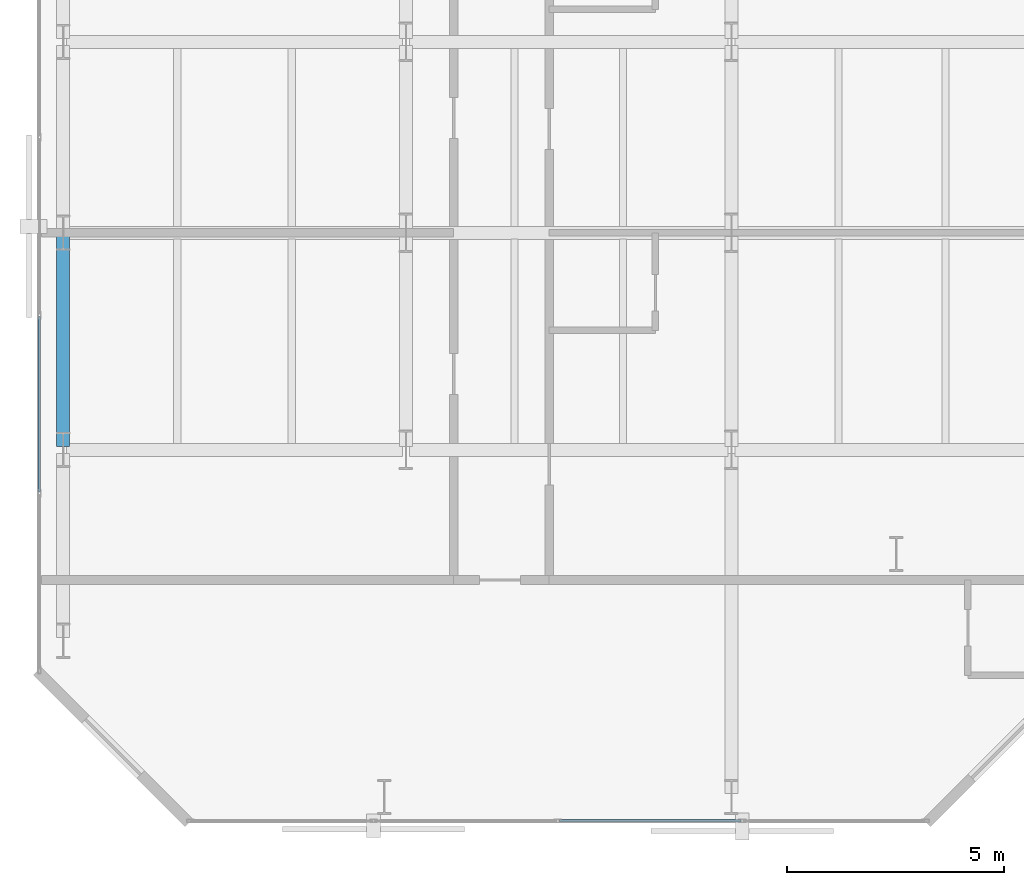
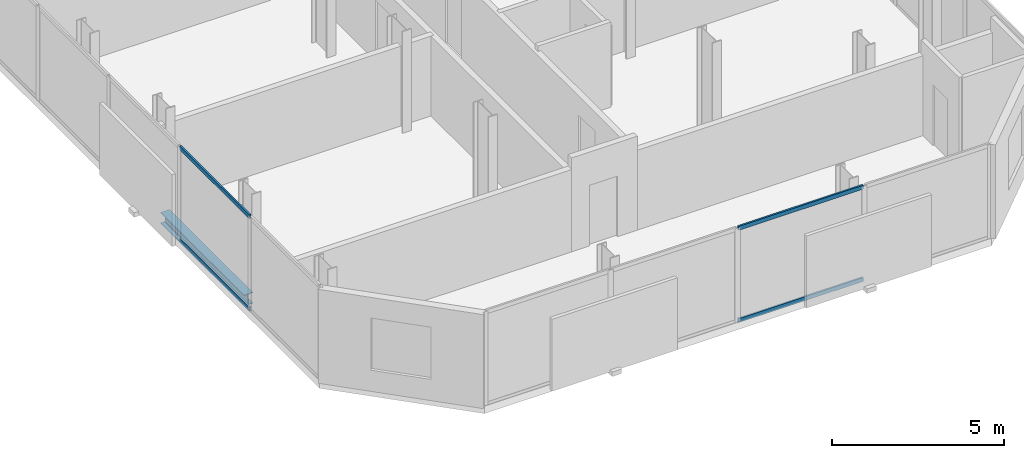
# One storey, part 4 of 32: 4 members, 1 beam, 2 elements without a shape of their own.
"""IFC4 building model written with IfcOpenShell, lengths in metres."""

from ifc_helpers import new_model, si_unit, direction, frame, origin, origin_2d, place, context, subcontext, project, spatial, hollow_rectangle, i_section, extrude, material, layer, layer_set, material_profile, profile_set, type_object, element, aggregate, save


model = new_model("IFC4")

# Units and contexts
model_context = context("Model", 3, precision=1e-05, world=origin(), true_north=direction((0.0, 1.0)))
body_context = subcontext(model_context, "Body", "Model", "MODEL_VIEW")
ifc_project = project(units=[si_unit("LENGTHUNIT", "METRE"), si_unit("AREAUNIT", "SQUARE_METRE"), si_unit("VOLUMEUNIT", "CUBIC_METRE"), si_unit("PLANEANGLEUNIT", "RADIAN"), si_unit("MASSUNIT", "GRAM", prefix="KILO")], contexts=[model_context])

# Site, building, storey
site_placement = place(None, origin())
site = spatial("IfcSite", under=ifc_project, at=site_placement, CompositionType="ELEMENT")
building_placement = place(site_placement, origin())
building = spatial("IfcBuilding", under=site, at=building_placement, Name="Catumbela Crestline Tower", CompositionType="ELEMENT")
storey_placement = place(building_placement, frame((0.0, 0.0, 65.4)))
storey = spatial("IfcBuildingStorey", under=building, at=storey_placement, Name="L16", CompositionType="ELEMENT", Elevation=65.4)

# Beam
ifc_material_1 = material(Name="Structural steel S355J2", Category="steel")
ifc_material_profile_1 = material_profile(ifc_material_1, i_section(OverallWidth=0.3, OverallDepth=0.39, WebThickness=0.011, FlangeThickness=0.019, FilletRadius=0.027, at=origin_2d()), Name="HEA 400")
ifc_profile_set_1 = profile_set([ifc_material_profile_1], Name="Structural steel S355J2")
beam_type = type_object("IfcBeamType", Name="BS-HEA400", PredefinedType="SPANDREL", material=ifc_profile_set_1)
beam_placement = place(storey_placement, frame((0.6, 8.68, -0.455), z_axis=(0.0, 1.0, 0.0), x_axis=(-1.0, 0.0, 0.0)))
element("IfcBeam", 1, at=beam_placement, inside=storey, type_object=beam_type, Name="L16 Spandrel SP-L16-WNS58", PredefinedType="SPANDREL", context=body_context, shape_type="SweptSolid", body=[
    extrude(i_section(OverallWidth=0.3, OverallDepth=0.39, WebThickness=0.011, FlangeThickness=0.019, FilletRadius=0.027, at=origin_2d()), origin(), (0.0, 0.0, 1.0), 4.84),
])

# Curtain wall, members
ifc_material_2 = material(Name="Aluminium alloy AW-6060-T66", Category="aluminium")
ifc_layer = layer(ifc_material_2, 0.18, Name="Aluminium alloy AW-6060-T66")
ifc_layer_set = layer_set([ifc_layer], Name="Aluminium alloy AW-6060-T66")
curtain_wall_type = type_object("IfcCurtainWallType", Name="CWU-Z1", PredefinedType="USERDEFINED", material=ifc_layer_set)
curtain_wall_1_placement = place(storey_placement, origin())
curtain_wall_1 = element("IfcCurtainWall", 2, at=curtain_wall_1_placement, inside=storey, type_object=curtain_wall_type, Name="L16 Unitised Curtain Wall CW-L16-E0S1", ObjectType="UNITISED", PredefinedType="USERDEFINED")
ifc_material_profile_2 = material_profile(ifc_material_2, hollow_rectangle(XDim=0.06, YDim=0.14, WallThickness=0.004, at=origin_2d()), Name="ALU 140x60x4")
ifc_profile_set_2 = profile_set([ifc_material_profile_2], Name="Aluminium alloy AW-6060-T66")
member_type = type_object("IfcMemberType", Name="TRN-140X60", PredefinedType="USERDEFINED", material=ifc_profile_set_2)
member_1_placement = place(storey_placement, frame((12.0325, 0.05, 0.03), z_axis=(1.0, 0.0, 0.0), x_axis=(0.0, 1.0, 0.0)))
member_1 = element("IfcMember", 3, at=member_1_placement, type_object=member_type, Name="CWU-Z1 transom 3.1", ObjectType="TRANSOM", PredefinedType="USERDEFINED", context=body_context, shape_type="SweptSolid", body=[
    extrude(hollow_rectangle(XDim=0.06, YDim=0.14, WallThickness=0.004, at=origin_2d()), origin(), (0.0, 0.0, 1.0), 4.185),
])
member_2_placement = place(storey_placement, frame((12.0325, 0.05, 3.3), z_axis=(1.0, 0.0, 0.0), x_axis=(0.0, 1.0, 0.0)))
member_2 = element("IfcMember", 4, at=member_2_placement, type_object=member_type, Name="CWU-Z1 transom 3.2", ObjectType="TRANSOM", PredefinedType="USERDEFINED", context=body_context, shape_type="SweptSolid", body=[
    extrude(hollow_rectangle(XDim=0.06, YDim=0.14, WallThickness=0.004, at=origin_2d()), origin(), (0.0, 0.0, 1.0), 4.185),
])
aggregate(curtain_wall_1, [member_1, member_2])

curtain_wall_2_placement = place(storey_placement, origin())
curtain_wall_2 = element("IfcCurtainWall", 5, at=curtain_wall_2_placement, inside=storey, type_object=curtain_wall_type, Name="L16 Unitised Curtain Wall CW-L16-E9S1", ObjectType="UNITISED", PredefinedType="USERDEFINED")
member_3_placement = place(storey_placement, frame((0.05, 11.6675, 0.03), z_axis=(0.0, -1.0, 0.0), x_axis=(1.0, 0.0, 0.0)))
member_3 = element("IfcMember", 6, at=member_3_placement, type_object=member_type, Name="CWU-Z1 transom 9.1", ObjectType="TRANSOM", PredefinedType="USERDEFINED", context=body_context, shape_type="SweptSolid", body=[
    extrude(hollow_rectangle(XDim=0.06, YDim=0.14, WallThickness=0.004, at=origin_2d()), origin(), (0.0, 0.0, 1.0), 4.035),
])
member_4_placement = place(storey_placement, frame((0.05, 11.6675, 3.3), z_axis=(0.0, -1.0, 0.0), x_axis=(1.0, 0.0, 0.0)))
member_4 = element("IfcMember", 7, at=member_4_placement, type_object=member_type, Name="CWU-Z1 transom 9.2", ObjectType="TRANSOM", PredefinedType="USERDEFINED", context=body_context, shape_type="SweptSolid", body=[
    extrude(hollow_rectangle(XDim=0.06, YDim=0.14, WallThickness=0.004, at=origin_2d()), origin(), (0.0, 0.0, 1.0), 4.035),
])
aggregate(curtain_wall_2, [member_3, member_4])

save(model, "model.ifc")
